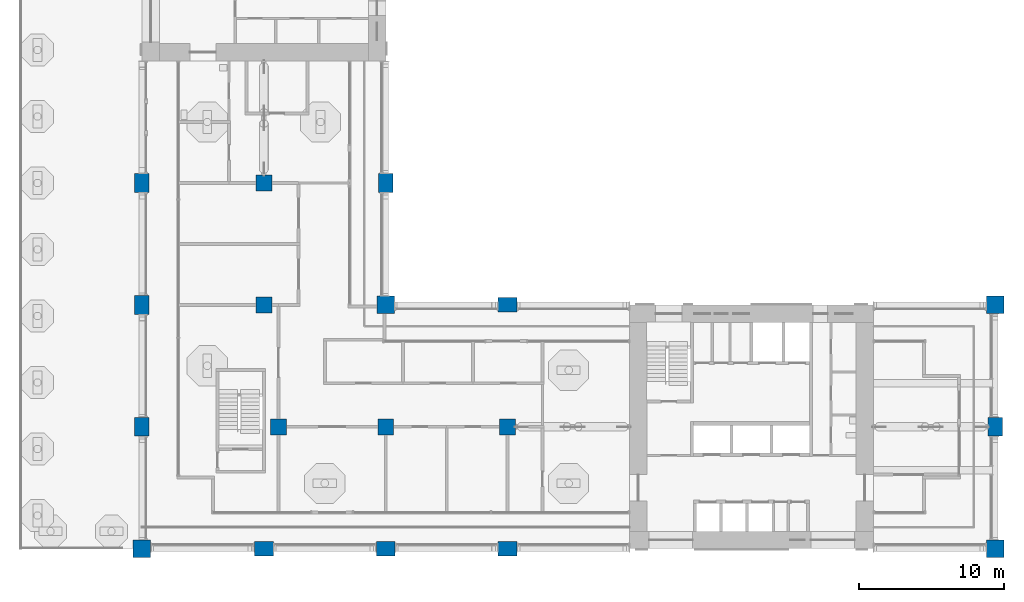
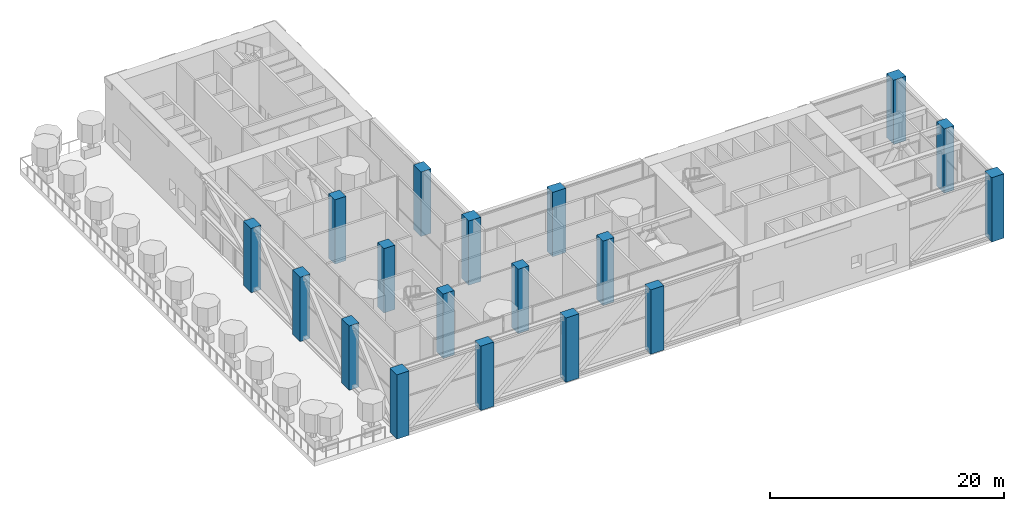
# One storey, part 1 of 22: 18 columns.
"""IFC4 building model written with IfcOpenShell, lengths in metres."""

import ifcopenshell
import ifcopenshell.guid

model = None  # the IFC model being written
_history = None  # IfcOwnerHistory: only IFC2X3 demands one
_inside = {}  # id of a spatial element -> (the spatial element, [elements in it])
_under = {}  # id of a project, library or spatial element -> (it, [spatial elements below it])
_declared = {}  # id of a project -> (the project, [libraries it declares])
_typed = {}  # id of a type object -> (the type object, [elements of that type])
_made_of = {}  # id of a material, layer set ... -> (it, [elements and type objects made of it])


def new_model(schema):
    """Start an empty IFC model of exactly this schema.

    Asked for "IFC4X3", IfcOpenShell would pick the latest addendum, in which some entities
    have other attributes; the version numbers below select the first issue.
    IFC2X3 requires an IfcOwnerHistory on every rooted entity: one is made here for all.
    """
    global model, _history
    if schema == "IFC4X3":
        model = ifcopenshell.file(schema_version=(4, 3, 0, 0))
    else:
        model = ifcopenshell.file(schema=schema)
    _inside.clear()
    _under.clear()
    _declared.clear()
    _typed.clear()
    _made_of.clear()
    _history = None
    if model.schema == "IFC2X3":
        org = make("IfcOrganization", Name="unknown")
        user = make(
            "IfcPersonAndOrganization",
            ThePerson=make("IfcPerson", FamilyName="unknown"),
            TheOrganization=org,
        )
        app = make(
            "IfcApplication",
            ApplicationDeveloper=org,
            Version="unknown",
            ApplicationFullName="unknown",
            ApplicationIdentifier="unknown",
        )
        _history = make(
            "IfcOwnerHistory",
            OwningUser=user,
            OwningApplication=app,
            ChangeAction="ADDED",
            CreationDate=0,
        )
    return model


def make(cls, **values):
    """One entity of the class cls with the attributes given. An attribute that is None is left unset."""
    return model.create_entity(
        cls, **{name: value for name, value in values.items() if value is not None}
    )


def rooted(cls, **values):
    """An entity with a GlobalId (a new one), such as an element, a storey or a relation."""
    return make(cls, GlobalId=ifcopenshell.guid.new(), OwnerHistory=_history, **values)


def si_unit(unit_type, name, prefix=None):
    """IfcSIUnit, for example si_unit("LENGTHUNIT", "METRE", prefix="MILLI")."""
    return make("IfcSIUnit", UnitType=unit_type, Prefix=prefix, Name=name)


def assignment(units):
    """IfcUnitAssignment: the units of a project."""
    return None if units is None else make("IfcUnitAssignment", Units=units)


def point(xyz):
    """IfcCartesianPoint."""
    return None if xyz is None else make("IfcCartesianPoint", Coordinates=xyz)


def direction(xyz):
    """IfcDirection."""
    return None if xyz is None else make("IfcDirection", DirectionRatios=xyz)


def frame(location, z_axis=None, x_axis=None):
    """IfcAxis2Placement3D, a coordinate frame: its origin and axes. An axis left out is left unset."""
    return make(
        "IfcAxis2Placement3D",
        Location=point(location),
        Axis=direction(z_axis),
        RefDirection=direction(x_axis),
    )


def frame_2d(location, x_axis=None):
    """IfcAxis2Placement2D, a coordinate frame in the plane: its origin and x axis."""
    return make(
        "IfcAxis2Placement2D", Location=point(location), RefDirection=direction(x_axis)
    )


def origin():
    """The frame at (0, 0, 0) with its axes left unset."""
    return frame((0.0, 0.0, 0.0))


def origin_2d():
    """The frame at (0, 0) in the plane with its x axis left unset."""
    return frame_2d((0.0, 0.0))


def place(relative_to, where):
    """IfcLocalPlacement: puts the frame where relative to a parent placement (None: the world)."""
    return make(
        "IfcLocalPlacement", PlacementRelTo=relative_to, RelativePlacement=where
    )


def context(
    kind, dimensions, precision=None, world=None, true_north=None, identifier=None
):
    """IfcGeometricRepresentationContext, for example the 3D "Model" context."""
    return make(
        "IfcGeometricRepresentationContext",
        ContextIdentifier=identifier,
        ContextType=kind,
        CoordinateSpaceDimension=dimensions,
        Precision=precision,
        WorldCoordinateSystem=world,
        TrueNorth=true_north,
    )


def subcontext(parent, identifier, kind, view, scale=None):
    """IfcGeometricRepresentationSubContext, for example "Body" below "Model"."""
    return make(
        "IfcGeometricRepresentationSubContext",
        ContextIdentifier=identifier,
        ContextType=kind,
        ParentContext=parent,
        TargetScale=scale,
        TargetView=view,
    )


def project(units=None, contexts=None):
    """IfcProject with its units and contexts."""
    return rooted(
        "IfcProject",
        Name="project",
        RepresentationContexts=contexts,
        UnitsInContext=assignment(units),
    )


def spatial(cls, under=None, at=None, **own):
    """A site, building, storey or space (cls), placed at a placement, below another one or the project."""
    s = rooted(cls, ObjectPlacement=at, **own)
    if under is not None:
        _under.setdefault(under.id(), (under, []))[1].append(s)
    return s


def profile(cls, at=None, kind="AREA", **sizes):
    """A parametric profile (cls). Its sizes go by their IFC names, for example OverallWidth=200.0."""
    return make(cls, ProfileType=kind, Position=at, **sizes)


def rectangle(**sizes):
    """IfcRectangleProfileDef."""
    return profile("IfcRectangleProfileDef", **sizes)


def extrude(swept, where, along, depth):
    """IfcExtrudedAreaSolid: the profile swept, set in the frame where, extruded along a direction by depth."""
    return make(
        "IfcExtrudedAreaSolid",
        SweptArea=swept,
        Position=where,
        ExtrudedDirection=direction(along),
        Depth=depth,
    )


def shape(context_of_items, identifier, shape_type, items):
    """IfcShapeRepresentation: the items that make up one representation, for example the "Body"."""
    return make(
        "IfcShapeRepresentation",
        ContextOfItems=context_of_items,
        RepresentationIdentifier=identifier,
        RepresentationType=shape_type,
        Items=items,
    )


def material(Name=None, Category=None):
    """IfcMaterial."""
    return make("IfcMaterial", Name=Name, Category=Category)


def material_profile(
    of_material, cross_section, Name=None, Category=None, Priority=None
):
    """IfcMaterialProfile: a cross section and its material."""
    return make(
        "IfcMaterialProfile",
        Name=Name,
        Material=of_material,
        Profile=cross_section,
        Priority=Priority,
        Category=Category,
    )


def profile_set(profiles, Name=None, composite=None):
    """IfcMaterialProfileSet."""
    return make(
        "IfcMaterialProfileSet",
        Name=Name,
        MaterialProfiles=profiles,
        CompositeProfile=composite,
    )


def made_of(thing, what):
    """Note that an element or type object is made of a material, layer set ...; save() writes the relation."""
    if what is not None:
        _made_of.setdefault(what.id(), (what, []))[1].append(thing)
    return thing


def type_object(cls, material=None, **own):
    """A type object (cls), such as IfcWallType, which elements share."""
    return made_of(rooted(cls, **own), material)


def element(
    cls,
    number,
    at=None,
    inside=None,
    cuts=None,
    type_object=None,
    material=None,
    context=None,
    identifier="Body",
    shape_type=None,
    held_by="IfcProductDefinitionShape",
    body=None,
    shapes=None,
    **own,
):
    """One element of the class cls, such as IfcWall. Its Tag is "e" and its number.

    at: its placement. inside: the storey or other place that contains it. cuts: it is an
    opening in that element (IfcRelVoidsElement). A single representation is given by context,
    identifier, shape_type and body (its items); several are given by shapes. held_by: the class
    of the entity that holds the representations. save() writes the other relations.
    """
    e = rooted(cls, Tag="e%d" % number, ObjectPlacement=at, **own)
    if body is not None:
        shapes = [shape(context, identifier, shape_type, body)]
    if shapes is not None:
        e.Representation = make(held_by, Representations=shapes)
    if inside is not None:
        _inside.setdefault(inside.id(), (inside, []))[1].append(e)
    if cuts is not None:
        rooted(
            "IfcRelVoidsElement", RelatingBuildingElement=cuts, RelatedOpeningElement=e
        )
    if type_object is not None:
        _typed.setdefault(type_object.id(), (type_object, []))[1].append(e)
    return made_of(e, material)


def aggregate(whole, parts):
    """IfcRelAggregates: a whole, such as a stair, and the parts it consists of."""
    return rooted("IfcRelAggregates", RelatingObject=whole, RelatedObjects=parts)


def save(model, path):
    """Write the relations noted so far, then the file.

    IfcRelAggregates (storeys below a building ...), IfcRelContainedInSpatialStructure (elements
    in a storey), IfcRelDefinesByType, IfcRelAssociatesMaterial and IfcRelDeclares: one each for
    every whole, place, type object, material and project.
    """
    for whole, parts in _under.values():
        aggregate(whole, parts)
    for where, things in _inside.values():
        rooted(
            "IfcRelContainedInSpatialStructure",
            RelatedElements=things,
            RelatingStructure=where,
        )
    for kind, things in _typed.values():
        rooted("IfcRelDefinesByType", RelatedObjects=things, RelatingType=kind)
    for what, things in _made_of.values():
        rooted("IfcRelAssociatesMaterial", RelatedObjects=things, RelatingMaterial=what)
    for by, libraries in _declared.values():
        rooted("IfcRelDeclares", RelatingContext=by, RelatedDefinitions=libraries)
    model.write(path)


model = new_model("IFC4")

# Units and contexts
model_context = context("Model", 3, precision=1e-05, world=origin(), true_north=direction((0.0, 1.0)))
body_context = subcontext(model_context, "Body", "Model", "MODEL_VIEW")
ifc_project = project(units=[si_unit("LENGTHUNIT", "METRE"), si_unit("AREAUNIT", "SQUARE_METRE"), si_unit("VOLUMEUNIT", "CUBIC_METRE"), si_unit("PLANEANGLEUNIT", "RADIAN"), si_unit("MASSUNIT", "GRAM", prefix="KILO")], contexts=[model_context])

# Site, building, storey
site_placement = place(None, origin())
site = spatial("IfcSite", under=ifc_project, at=site_placement, CompositionType="ELEMENT")
building_placement = place(site_placement, origin())
building = spatial("IfcBuilding", under=site, at=building_placement, Name="Vermilion Gate Residences", CompositionType="ELEMENT")
storey_placement = place(building_placement, frame((0.0, 0.0, 140.699951171875)))
storey = spatial("IfcBuildingStorey", under=building, at=storey_placement, Name="L36", CompositionType="ELEMENT", Elevation=140.699951171875)

# Columns
ifc_material_1 = material(Name="Concrete C70", Category="concrete")
ifc_material_profile_1 = material_profile(ifc_material_1, rectangle(XDim=1.10009765625, YDim=1.10009765625, at=origin_2d()), Name="RC-1100x1100")
ifc_profile_set_1 = profile_set([ifc_material_profile_1], Name="Concrete C70")
column_type_1 = type_object("IfcColumnType", Name="RC COLUMN 1100 X 1100 C70", PredefinedType="COLUMN", material=ifc_profile_set_1)
for number, where, z_axis, x_axis, name in (
    (1, (17.800048828125, 16.800048828125, 0.0), (0.0, 0.0, 1.0), (1.0, 0.0, 0.0), "Column 3-C L36"),
    (2, (16.800048828125, 25.199951171875, 0.0), (0.0, 0.0, 1.0), (1.0, 0.0, 0.0), "Column 3-D L36"),
    (3, (16.800048828125, 33.60009765625, 0.0), (0.0, 0.0, 1.0), (1.0, 0.0, 0.0), "Column 3-E L36"),
    (4, (25.199951171875, 16.800048828125, 0.0), (0.0, 0.0, 1.0), (1.0, 0.0, 0.0), "Column 4-C L36"),
    (5, (33.60009765625, 16.800048828125, 0.0), (0.0, 0.0, 1.0), (1.0, 0.0, 0.0), "Column 5-C L36"),
):
    element("IfcColumn", number, at=place(storey_placement, frame(where, z_axis=z_axis, x_axis=x_axis)), inside=storey, type_object=column_type_1, Name=name, PredefinedType="COLUMN", context=body_context, shape_type="SweptSolid", body=[
        extrude(rectangle(XDim=1.10009765625, YDim=1.10009765625, at=origin_2d()), origin(), (0.0, 0.0, 1.0), 6.719970703125),
    ])
ifc_material_2 = material(Name="Concrete C70", Category="concrete")
ifc_material_profile_2 = material_profile(ifc_material_2, rectangle(XDim=1.199951171875, YDim=1.199951171875, at=origin_2d()), Name="RC-1200x1200")
ifc_profile_set_2 = profile_set([ifc_material_profile_2], Name="Concrete C70")
column_type_2 = type_object("IfcColumnType", Name="RC COLUMN 1200 X 1200 C70", PredefinedType="COLUMN", material=ifc_profile_set_2)
for number, where, z_axis, x_axis, name in (
    (6, (8.39990234375, 8.39990234375, 0.0), (0.0, 0.0, 1.0), (1.0, 0.0, 0.0), "Column 2-B L36"),
    (7, (25.199951171875, 25.199951171875, 0.0), (0.0, 0.0, 1.0), (1.0, 0.0, 0.0), "Column 4-D L36"),
    (8, (67.199951171875, 8.39990234375, 0.0), (0.0, 0.0, 1.0), (1.0, 0.0, 0.0), "Column 9-B L36"),
    (9, (67.199951171875, 25.199951171875, 0.0), (0.0, 0.0, 1.0), (1.0, 0.0, 0.0), "Column 9-D L36"),
):
    element("IfcColumn", number, at=place(storey_placement, frame(where, z_axis=z_axis, x_axis=x_axis)), inside=storey, type_object=column_type_2, Name=name, PredefinedType="COLUMN", context=body_context, shape_type="SweptSolid", body=[
        extrude(rectangle(XDim=1.199951171875, YDim=1.199951171875, at=origin_2d()), origin(), (0.0, 0.0, 1.0), 6.719970703125),
    ])
ifc_material_3 = material(Name="Concrete C70", Category="concrete")
ifc_material_profile_3 = material_profile(ifc_material_3, rectangle(XDim=1.300048828125, YDim=1.0, at=origin_2d()), Name="RC-1300x1000")
ifc_profile_set_3 = profile_set([ifc_material_profile_3], Name="Concrete C70")
column_type_3 = type_object("IfcColumnType", Name="RC COLUMN 1300 X 1000 C70", PredefinedType="COLUMN", material=ifc_profile_set_3)
for number, where, z_axis, x_axis, name in (
    (10, (8.39990234375, 16.800048828125, 0.0), (0.0, 0.0, 1.0), (0.0, 1.0, 0.0), "Column 2-C L36"),
    (11, (8.39990234375, 25.199951171875, 0.0), (0.0, 0.0, 1.0), (0.0, 1.0, 0.0), "Column 2-D L36"),
    (12, (8.39990234375, 33.60009765625, 0.0), (0.0, 0.0, 1.0), (0.0, 1.0, 0.0), "Column 2-E L36"),
    (13, (16.800048828125, 8.39990234375, 0.0), (0.0, 0.0, 1.0), (1.0, 0.0, 0.0), "Column 3-B L36"),
    (14, (25.199951171875, 8.39990234375, 0.0), (0.0, 0.0, 1.0), (1.0, 0.0, 0.0), "Column 4-B L36"),
    (15, (25.199951171875, 33.60009765625, 0.0), (0.0, 0.0, 1.0), (0.0, 1.0, 0.0), "Column 4-E L36"),
    (16, (33.60009765625, 8.39990234375, 0.0), (0.0, 0.0, 1.0), (1.0, 0.0, 0.0), "Column 5-B L36"),
    (17, (33.60009765625, 25.199951171875, 0.0), (0.0, 0.0, 1.0), (1.0, 0.0, 0.0), "Column 5-D L36"),
    (18, (67.199951171875, 16.800048828125, 0.0), (0.0, 0.0, 1.0), (0.0, 1.0, 0.0), "Column 9-C L36"),
):
    element("IfcColumn", number, at=place(storey_placement, frame(where, z_axis=z_axis, x_axis=x_axis)), inside=storey, type_object=column_type_3, Name=name, PredefinedType="COLUMN", context=body_context, shape_type="SweptSolid", body=[
        extrude(rectangle(XDim=1.300048828125, YDim=1.0, at=origin_2d()), origin(), (0.0, 0.0, 1.0), 6.719970703125),
    ])

save(model, "model.ifc")
